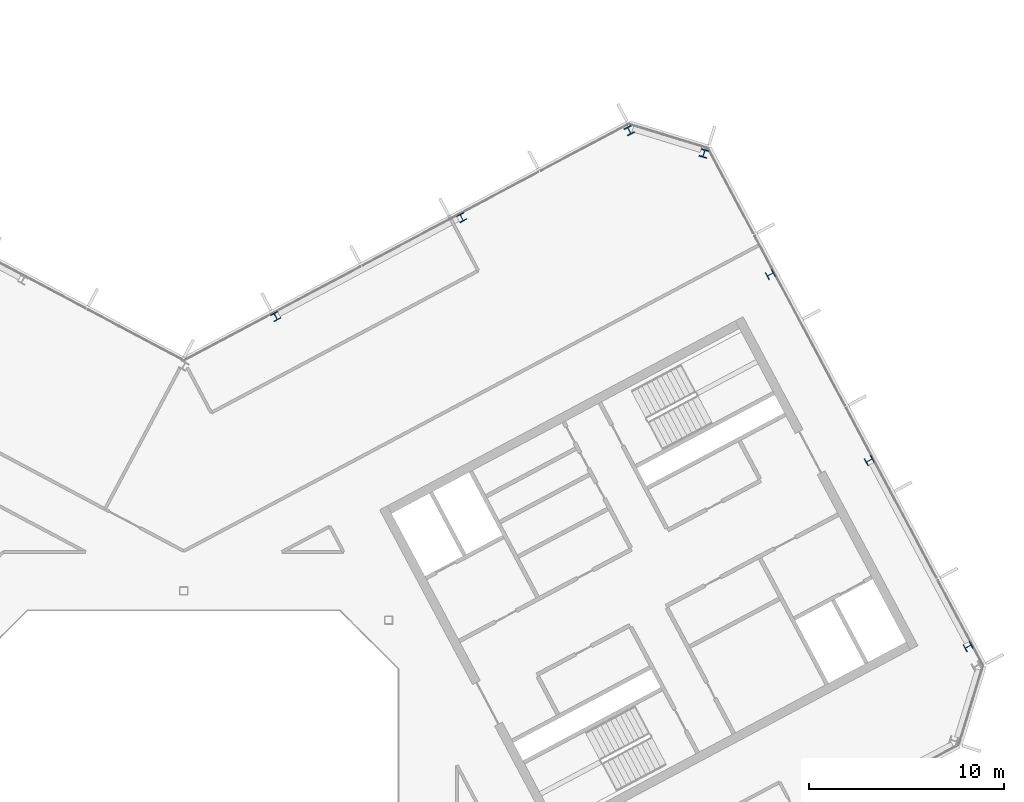
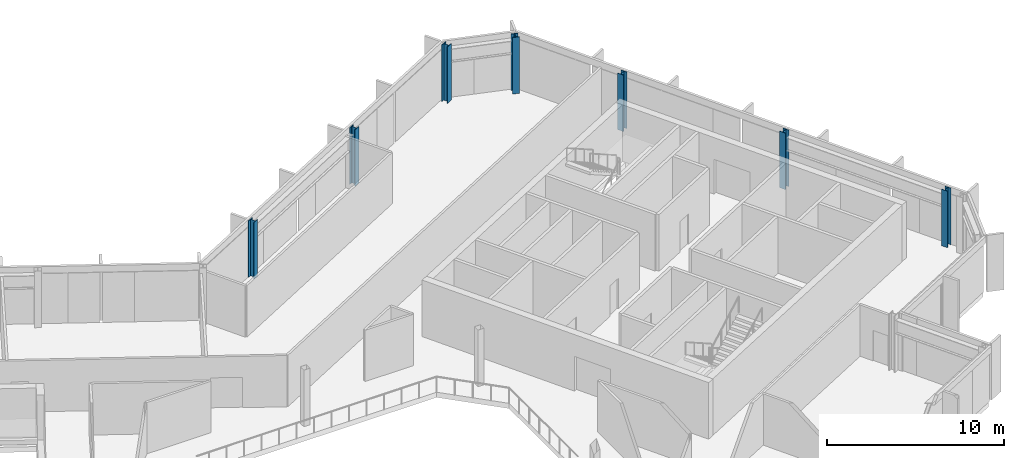
# One storey, part 7 of 26: 7 columns.
"""IFC4 building model written with IfcOpenShell, lengths in metres."""

from ifc_helpers import new_model, si_unit, direction, frame, origin, origin_2d, place, context, subcontext, project, spatial, i_section, extrude, material, material_profile, profile_set, type_object, element, save


model = new_model("IFC4")

# Units and contexts
model_context = context("Model", 3, precision=1e-05, world=origin(), true_north=direction((0.0, 1.0)))
body_context = subcontext(model_context, "Body", "Model", "MODEL_VIEW")
ifc_project = project(units=[si_unit("LENGTHUNIT", "METRE"), si_unit("AREAUNIT", "SQUARE_METRE"), si_unit("VOLUMEUNIT", "CUBIC_METRE"), si_unit("PLANEANGLEUNIT", "RADIAN"), si_unit("MASSUNIT", "GRAM", prefix="KILO")], contexts=[model_context])

# Site, building, storey
site_placement = place(None, origin())
site = spatial("IfcSite", under=ifc_project, at=site_placement, CompositionType="ELEMENT")
building_placement = place(site_placement, origin())
building = spatial("IfcBuilding", under=site, at=building_placement, Name="Cormorant Relay Tower", CompositionType="ELEMENT")
storey_placement = place(building_placement, frame((0.0, 0.0, 269.699951171875)))
storey = spatial("IfcBuildingStorey", under=building, at=storey_placement, Name="L60", CompositionType="ELEMENT", Elevation=269.699951171875)

# Columns
ifc_material_1 = material(Name="Steel ASTM A992 (Fy 345 MPa)", Category="steel")
ifc_material_profile_1 = material_profile(ifc_material_1, i_section(OverallWidth=0.398681640625, OverallDepth=0.385986328125, WebThickness=0.02099609375, FlangeThickness=0.033203125, FilletRadius=0.01513671875, at=origin_2d()), Name="W360x262")
ifc_profile_set_1 = profile_set([ifc_material_profile_1], Name="Steel ASTM A992 (Fy 345 MPa)")
column_type_1 = type_object("IfcColumnType", Name="Column W360x262", PredefinedType="COLUMN", material=ifc_profile_set_1)
for number, where, z_axis, x_axis, name in (
    (1, (40.2119140625, 9.14892578125, 0.0), (0.0, 0.0, 1.0), (-0.469471562786, 0.882947592859, 0.0), "Column L60-021"),
    (2, (35.14111328125, 18.68505859375, 0.0), (0.0, 0.0, 1.0), (-0.469471562786, 0.882947592859, 0.0), "Column L60-027"),
    (3, (4.715087890625, 26.06494140625, 0.0), (0.0, 0.0, 1.0), (-0.882947592859, -0.469471562786, 0.0), "Column L60-031"),
    (4, (30.071044921875, 28.220947265625, 0.0), (0.0, 0.0, 1.0), (-0.469471562786, 0.882947592859, 0.0), "Column L60-033"),
    (5, (14.2509765625, 31.135009765625, 0.0), (0.0, 0.0, 1.0), (-0.882947592859, -0.469471562786, 0.0), "Column L60-035"),
):
    element("IfcColumn", number, at=place(storey_placement, frame(where, z_axis=z_axis, x_axis=x_axis)), inside=storey, type_object=column_type_1, Name=name, PredefinedType="COLUMN", context=body_context, shape_type="SweptSolid", body=[
        extrude(i_section(OverallWidth=0.398681640625, OverallDepth=0.385986328125, WebThickness=0.02099609375, FlangeThickness=0.033203125, FilletRadius=0.01513671875, at=origin_2d()), origin(), (0.0, 0.0, 1.0), 3.900146484375),
    ])
ifc_material_2 = material(Name="Steel ASTM A992 (Fy 345 MPa)", Category="steel")
ifc_material_profile_2 = material_profile(ifc_material_2, i_section(OverallWidth=0.40380859375, OverallDepth=0.406494140625, WebThickness=0.027099609375, FlangeThickness=0.043701171875, FilletRadius=0.01513671875, at=origin_2d()), Name="W360x347")
ifc_profile_set_2 = profile_set([ifc_material_profile_2], Name="Steel ASTM A992 (Fy 345 MPa)")
column_type_2 = type_object("IfcColumnType", Name="Column W360x347", PredefinedType="COLUMN", material=ifc_profile_set_2)
for number, where, z_axis, x_axis, name in (
    (6, (26.6640625, 34.425048828125, 0.0), (0.0, 0.0, 1.0), (-0.956304755963, 0.292371704723, 0.0), "Column L60-038"),
    (7, (22.841064453125, 35.593994140625, 0.0), (0.0, 0.0, 1.0), (-0.882947592859, -0.469471562786, 0.0), "Column L60-039"),
):
    element("IfcColumn", number, at=place(storey_placement, frame(where, z_axis=z_axis, x_axis=x_axis)), inside=storey, type_object=column_type_2, Name=name, PredefinedType="COLUMN", context=body_context, shape_type="SweptSolid", body=[
        extrude(i_section(OverallWidth=0.40380859375, OverallDepth=0.406494140625, WebThickness=0.027099609375, FlangeThickness=0.043701171875, FilletRadius=0.01513671875, at=origin_2d()), origin(), (0.0, 0.0, 1.0), 3.900146484375),
    ])

save(model, "model.ifc")
